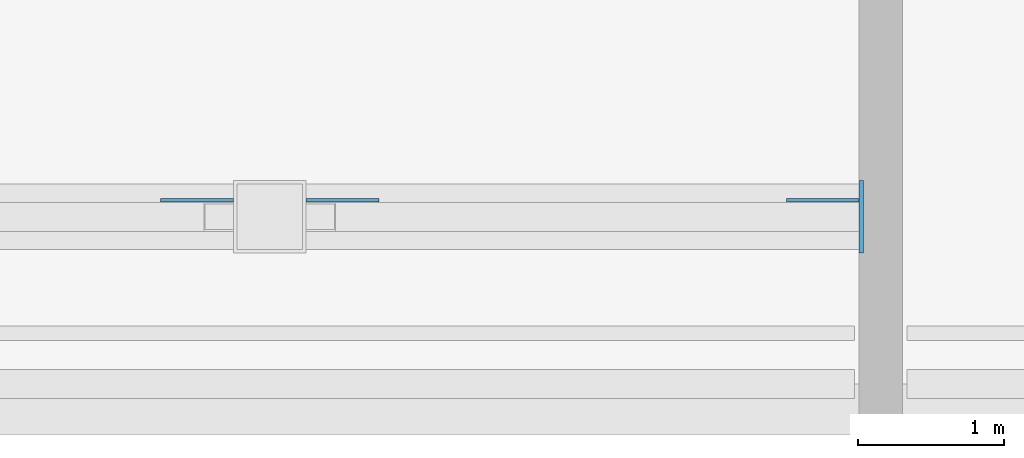
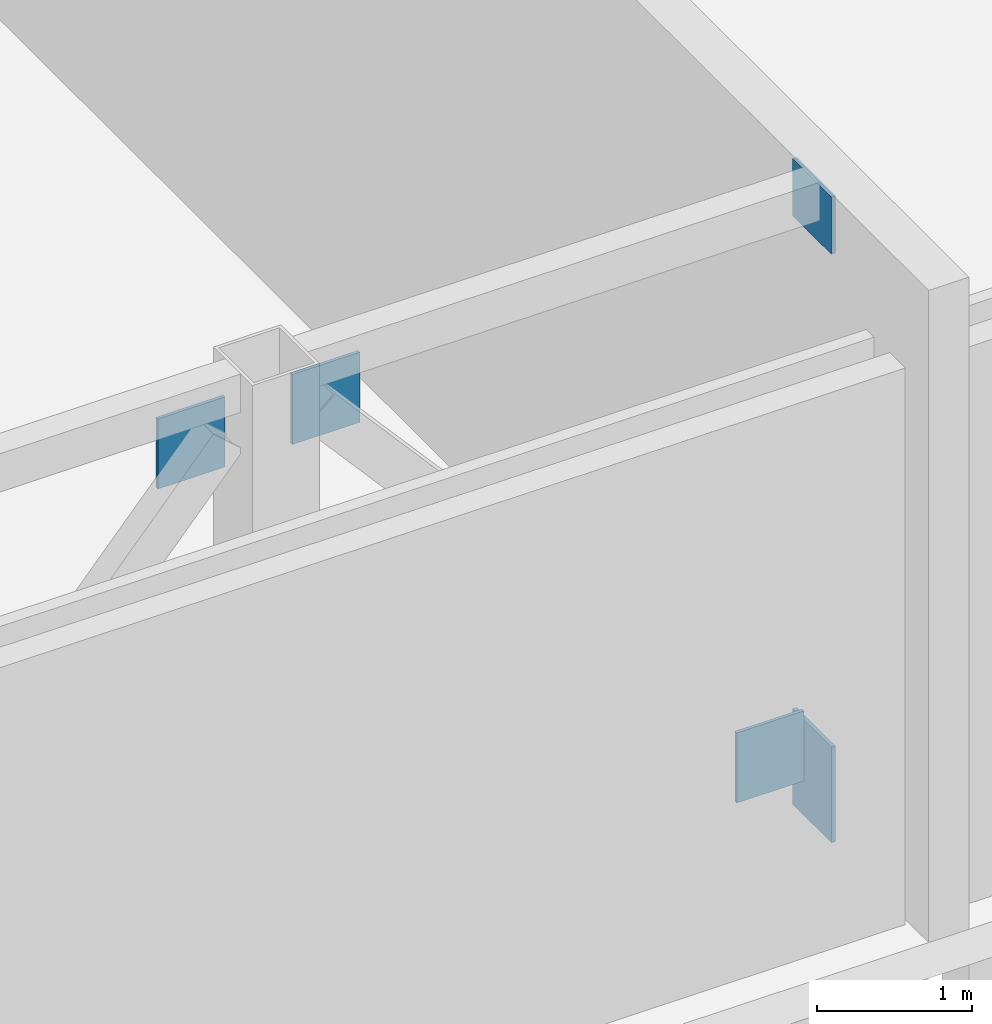
# One storey, part 7 of 11: 5 discrete accessories.
"""IFC4 building model written with IfcOpenShell, lengths in metres."""

import ifcopenshell
import ifcopenshell.guid

model = None  # the IFC model being written
_history = None  # IfcOwnerHistory: only IFC2X3 demands one
_inside = {}  # id of a spatial element -> (the spatial element, [elements in it])
_under = {}  # id of a project, library or spatial element -> (it, [spatial elements below it])
_declared = {}  # id of a project -> (the project, [libraries it declares])
_typed = {}  # id of a type object -> (the type object, [elements of that type])
_made_of = {}  # id of a material, layer set ... -> (it, [elements and type objects made of it])


def new_model(schema):
    """Start an empty IFC model of exactly this schema.

    Asked for "IFC4X3", IfcOpenShell would pick the latest addendum, in which some entities
    have other attributes; the version numbers below select the first issue.
    IFC2X3 requires an IfcOwnerHistory on every rooted entity: one is made here for all.
    """
    global model, _history
    if schema == "IFC4X3":
        model = ifcopenshell.file(schema_version=(4, 3, 0, 0))
    else:
        model = ifcopenshell.file(schema=schema)
    _inside.clear()
    _under.clear()
    _declared.clear()
    _typed.clear()
    _made_of.clear()
    _history = None
    if model.schema == "IFC2X3":
        org = make("IfcOrganization", Name="unknown")
        user = make(
            "IfcPersonAndOrganization",
            ThePerson=make("IfcPerson", FamilyName="unknown"),
            TheOrganization=org,
        )
        app = make(
            "IfcApplication",
            ApplicationDeveloper=org,
            Version="unknown",
            ApplicationFullName="unknown",
            ApplicationIdentifier="unknown",
        )
        _history = make(
            "IfcOwnerHistory",
            OwningUser=user,
            OwningApplication=app,
            ChangeAction="ADDED",
            CreationDate=0,
        )
    return model


def make(cls, **values):
    """One entity of the class cls with the attributes given. An attribute that is None is left unset."""
    return model.create_entity(
        cls, **{name: value for name, value in values.items() if value is not None}
    )


def rooted(cls, **values):
    """An entity with a GlobalId (a new one), such as an element, a storey or a relation."""
    return make(cls, GlobalId=ifcopenshell.guid.new(), OwnerHistory=_history, **values)


def si_unit(unit_type, name, prefix=None):
    """IfcSIUnit, for example si_unit("LENGTHUNIT", "METRE", prefix="MILLI")."""
    return make("IfcSIUnit", UnitType=unit_type, Prefix=prefix, Name=name)


def assignment(units):
    """IfcUnitAssignment: the units of a project."""
    return None if units is None else make("IfcUnitAssignment", Units=units)


def point(xyz):
    """IfcCartesianPoint."""
    return None if xyz is None else make("IfcCartesianPoint", Coordinates=xyz)


def direction(xyz):
    """IfcDirection."""
    return None if xyz is None else make("IfcDirection", DirectionRatios=xyz)


def frame(location, z_axis=None, x_axis=None):
    """IfcAxis2Placement3D, a coordinate frame: its origin and axes. An axis left out is left unset."""
    return make(
        "IfcAxis2Placement3D",
        Location=point(location),
        Axis=direction(z_axis),
        RefDirection=direction(x_axis),
    )


def frame_2d(location, x_axis=None):
    """IfcAxis2Placement2D, a coordinate frame in the plane: its origin and x axis."""
    return make(
        "IfcAxis2Placement2D", Location=point(location), RefDirection=direction(x_axis)
    )


def origin():
    """The frame at (0, 0, 0) with its axes left unset."""
    return frame((0.0, 0.0, 0.0))


def origin_2d():
    """The frame at (0, 0) in the plane with its x axis left unset."""
    return frame_2d((0.0, 0.0))


def place(relative_to, where):
    """IfcLocalPlacement: puts the frame where relative to a parent placement (None: the world)."""
    return make(
        "IfcLocalPlacement", PlacementRelTo=relative_to, RelativePlacement=where
    )


def context(
    kind, dimensions, precision=None, world=None, true_north=None, identifier=None
):
    """IfcGeometricRepresentationContext, for example the 3D "Model" context."""
    return make(
        "IfcGeometricRepresentationContext",
        ContextIdentifier=identifier,
        ContextType=kind,
        CoordinateSpaceDimension=dimensions,
        Precision=precision,
        WorldCoordinateSystem=world,
        TrueNorth=true_north,
    )


def subcontext(parent, identifier, kind, view, scale=None):
    """IfcGeometricRepresentationSubContext, for example "Body" below "Model"."""
    return make(
        "IfcGeometricRepresentationSubContext",
        ContextIdentifier=identifier,
        ContextType=kind,
        ParentContext=parent,
        TargetScale=scale,
        TargetView=view,
    )


def project(units=None, contexts=None):
    """IfcProject with its units and contexts."""
    return rooted(
        "IfcProject",
        Name="project",
        RepresentationContexts=contexts,
        UnitsInContext=assignment(units),
    )


def spatial(cls, under=None, at=None, **own):
    """A site, building, storey or space (cls), placed at a placement, below another one or the project."""
    s = rooted(cls, ObjectPlacement=at, **own)
    if under is not None:
        _under.setdefault(under.id(), (under, []))[1].append(s)
    return s


def profile(cls, at=None, kind="AREA", **sizes):
    """A parametric profile (cls). Its sizes go by their IFC names, for example OverallWidth=200.0."""
    return make(cls, ProfileType=kind, Position=at, **sizes)


def rectangle(**sizes):
    """IfcRectangleProfileDef."""
    return profile("IfcRectangleProfileDef", **sizes)


def extrude(swept, where, along, depth):
    """IfcExtrudedAreaSolid: the profile swept, set in the frame where, extruded along a direction by depth."""
    return make(
        "IfcExtrudedAreaSolid",
        SweptArea=swept,
        Position=where,
        ExtrudedDirection=direction(along),
        Depth=depth,
    )


def shape(context_of_items, identifier, shape_type, items):
    """IfcShapeRepresentation: the items that make up one representation, for example the "Body"."""
    return make(
        "IfcShapeRepresentation",
        ContextOfItems=context_of_items,
        RepresentationIdentifier=identifier,
        RepresentationType=shape_type,
        Items=items,
    )


def source(mapping_origin, context_of_items, identifier, shape_type, items):
    """IfcRepresentationMap: a shape defined once, which mapped items show again and again."""
    return make(
        "IfcRepresentationMap",
        MappingOrigin=mapping_origin,
        MappedRepresentation=shape(context_of_items, identifier, shape_type, items),
    )


def transform(
    local_origin,
    x_axis=None,
    y_axis=None,
    z_axis=None,
    scale=None,
    scale2=None,
    scale3=None,
    uniform=True,
):
    """IfcCartesianTransformationOperator3D, or its non-uniform kind. x_axis, y_axis, z_axis: its Axis1, 2, 3."""
    if uniform:
        return make(
            "IfcCartesianTransformationOperator3D",
            Axis1=direction(x_axis),
            Axis2=direction(y_axis),
            LocalOrigin=point(local_origin),
            Scale=scale,
            Axis3=direction(z_axis),
        )
    return make(
        "IfcCartesianTransformationOperator3DnonUniform",
        Axis1=direction(x_axis),
        Axis2=direction(y_axis),
        LocalOrigin=point(local_origin),
        Scale=scale,
        Axis3=direction(z_axis),
        Scale2=scale2,
        Scale3=scale3,
    )


def mapped(mapping_source, mapping_target):
    """IfcMappedItem: shows the shape of a source again, moved by a transform."""
    return make(
        "IfcMappedItem", MappingSource=mapping_source, MappingTarget=mapping_target
    )


def material(Name=None, Category=None):
    """IfcMaterial."""
    return make("IfcMaterial", Name=Name, Category=Category)


def layer(
    of_material, thickness, ventilated=None, Name=None, Category=None, Priority=None
):
    """IfcMaterialLayer: one layer of a wall or slab, of a material (None: an air gap)."""
    return make(
        "IfcMaterialLayer",
        Material=of_material,
        LayerThickness=thickness,
        IsVentilated=ventilated,
        Name=Name,
        Category=Category,
        Priority=Priority,
    )


def layer_set(layers, Name=None):
    """IfcMaterialLayerSet."""
    return make("IfcMaterialLayerSet", MaterialLayers=layers, LayerSetName=Name)


def made_of(thing, what):
    """Note that an element or type object is made of a material, layer set ...; save() writes the relation."""
    if what is not None:
        _made_of.setdefault(what.id(), (what, []))[1].append(thing)
    return thing


def type_object(cls, material=None, **own):
    """A type object (cls), such as IfcWallType, which elements share."""
    return made_of(rooted(cls, **own), material)


def element(
    cls,
    number,
    at=None,
    inside=None,
    cuts=None,
    type_object=None,
    material=None,
    context=None,
    identifier="Body",
    shape_type=None,
    held_by="IfcProductDefinitionShape",
    body=None,
    shapes=None,
    **own,
):
    """One element of the class cls, such as IfcWall. Its Tag is "e" and its number.

    at: its placement. inside: the storey or other place that contains it. cuts: it is an
    opening in that element (IfcRelVoidsElement). A single representation is given by context,
    identifier, shape_type and body (its items); several are given by shapes. held_by: the class
    of the entity that holds the representations. save() writes the other relations.
    """
    e = rooted(cls, Tag="e%d" % number, ObjectPlacement=at, **own)
    if body is not None:
        shapes = [shape(context, identifier, shape_type, body)]
    if shapes is not None:
        e.Representation = make(held_by, Representations=shapes)
    if inside is not None:
        _inside.setdefault(inside.id(), (inside, []))[1].append(e)
    if cuts is not None:
        rooted(
            "IfcRelVoidsElement", RelatingBuildingElement=cuts, RelatedOpeningElement=e
        )
    if type_object is not None:
        _typed.setdefault(type_object.id(), (type_object, []))[1].append(e)
    return made_of(e, material)


def aggregate(whole, parts):
    """IfcRelAggregates: a whole, such as a stair, and the parts it consists of."""
    return rooted("IfcRelAggregates", RelatingObject=whole, RelatedObjects=parts)


def save(model, path):
    """Write the relations noted so far, then the file.

    IfcRelAggregates (storeys below a building ...), IfcRelContainedInSpatialStructure (elements
    in a storey), IfcRelDefinesByType, IfcRelAssociatesMaterial and IfcRelDeclares: one each for
    every whole, place, type object, material and project.
    """
    for whole, parts in _under.values():
        aggregate(whole, parts)
    for where, things in _inside.values():
        rooted(
            "IfcRelContainedInSpatialStructure",
            RelatedElements=things,
            RelatingStructure=where,
        )
    for kind, things in _typed.values():
        rooted("IfcRelDefinesByType", RelatedObjects=things, RelatingType=kind)
    for what, things in _made_of.values():
        rooted("IfcRelAssociatesMaterial", RelatedObjects=things, RelatingMaterial=what)
    for by, libraries in _declared.values():
        rooted("IfcRelDeclares", RelatingContext=by, RelatedDefinitions=libraries)
    model.write(path)


model = new_model("IFC4")

# Units and contexts
model_context = context("Model", 3, precision=1e-05, world=origin(), true_north=direction((0.0, 1.0)))
body_context = subcontext(model_context, "Body", "Model", "MODEL_VIEW")
ifc_project = project(units=[si_unit("LENGTHUNIT", "METRE"), si_unit("AREAUNIT", "SQUARE_METRE"), si_unit("VOLUMEUNIT", "CUBIC_METRE"), si_unit("PLANEANGLEUNIT", "RADIAN"), si_unit("MASSUNIT", "GRAM", prefix="KILO")], contexts=[model_context])

# Site, building, storey
site_placement = place(None, origin())
site = spatial("IfcSite", under=ifc_project, at=site_placement, CompositionType="ELEMENT")
building_placement = place(site_placement, origin())
building = spatial("IfcBuilding", under=site, at=building_placement, Name="Vanashikhar Sky Hotel", CompositionType="ELEMENT")
storey_placement = place(building_placement, frame((0.0, 0.0, 264.699951171875)))
storey = spatial("IfcBuildingStorey", under=building, at=storey_placement, Name="L64", CompositionType="ELEMENT", Elevation=264.699951171875)

# Discrete accessories
ifc_material = material(Name="Steel S355", Category="steel")
ifc_layer_1 = layer(ifc_material, 0.030029296875)
ifc_layer_set_1 = layer_set([ifc_layer_1], Name="Cast-in anchor plate 500x750x30")
discrete_accessory_type_1 = type_object("IfcDiscreteAccessoryType", Name="Cast-in anchor plate 500x750x30", PredefinedType="ANCHORPLATE", material=ifc_layer_set_1)
shared_shape_1 = source(origin(), body_context, "Body", "SweptSolid", [
    extrude(rectangle(XDim=0.030029296875, YDim=0.5, at=origin_2d()), origin(), (0.0, 0.0, 1.0), 0.75),
])
discrete_accessory_1_placement = place(storey_placement, frame((75.465087890625, 7.0, 0.025146484375), z_axis=(0.0, 0.0, 1.0), x_axis=(1.0, 0.0, 0.0)))
element("IfcDiscreteAccessory", 1, at=discrete_accessory_1_placement, inside=storey, type_object=discrete_accessory_type_1, Name="EP-L64-F06BB", PredefinedType="ANCHORPLATE", context=body_context, shape_type="MappedRepresentation", body=[
    mapped(shared_shape_1, transform((0.0, 0.0, 0.0), scale=1.0)),
])
ifc_layer_2 = layer(ifc_material, 0.030029296875)
ifc_layer_set_2 = layer_set([ifc_layer_2], Name="Cast-in anchor plate 500x450x30")
discrete_accessory_type_2 = type_object("IfcDiscreteAccessoryType", Name="Cast-in anchor plate 500x450x30", PredefinedType="ANCHORPLATE", material=ifc_layer_set_2)
shared_shape_2 = source(origin(), body_context, "Body", "SweptSolid", [
    extrude(rectangle(XDim=0.030029296875, YDim=0.5, at=origin_2d()), origin(), (0.0, 0.0, 1.0), 0.449951171875),
])
discrete_accessory_2_placement = place(storey_placement, frame((75.465087890625, 7.0, 4.64501953125), z_axis=(0.0, 0.0, 1.0), x_axis=(1.0, 0.0, 0.0)))
element("IfcDiscreteAccessory", 2, at=discrete_accessory_2_placement, inside=storey, type_object=discrete_accessory_type_2, Name="EP-L64-F06BT", PredefinedType="ANCHORPLATE", context=body_context, shape_type="MappedRepresentation", body=[
    mapped(shared_shape_2, transform((0.0, 0.0, 0.0), scale=1.0)),
])
ifc_layer_3 = layer(ifc_material, 0.02490234375)
ifc_layer_set_3 = layer_set([ifc_layer_3], Name="Truss gusset plate 500x550x25")
discrete_accessory_type_3 = type_object("IfcDiscreteAccessoryType", Name="Truss gusset plate 500x550x25", PredefinedType="BRACKET", material=ifc_layer_set_3)
shared_shape_3 = source(origin(), body_context, "Body", "SweptSolid", [
    extrude(rectangle(XDim=0.5, YDim=0.02490234375, at=origin_2d()), origin(), (0.0, 0.0, 1.0), 0.550048828125),
])
for number, where, z_axis, x_axis, name in (
    (3, (70.89990234375, 7.112548828125, 4.27001953125), (0.0, 0.0, 1.0), (1.0, 0.0, 0.0), "GS-L64-F06LB"),
    (4, (75.199951171875, 7.112548828125, 0.2998046875), (0.0, 0.0, 1.0), (1.0, 0.0, 0.0), "GS-L64-F06RA"),
    (5, (71.89990234375, 7.112548828125, 4.27001953125), (0.0, 0.0, 1.0), (1.0, 0.0, 0.0), "GS-L64-F06RB"),
):
    element("IfcDiscreteAccessory", number, at=place(storey_placement, frame(where, z_axis=z_axis, x_axis=x_axis)), inside=storey, type_object=discrete_accessory_type_3, Name=name, PredefinedType="BRACKET", context=body_context, shape_type="MappedRepresentation", body=[
        mapped(shared_shape_3, transform((0.0, 0.0, 0.0), scale=1.0)),
    ])

save(model, "model.ifc")
